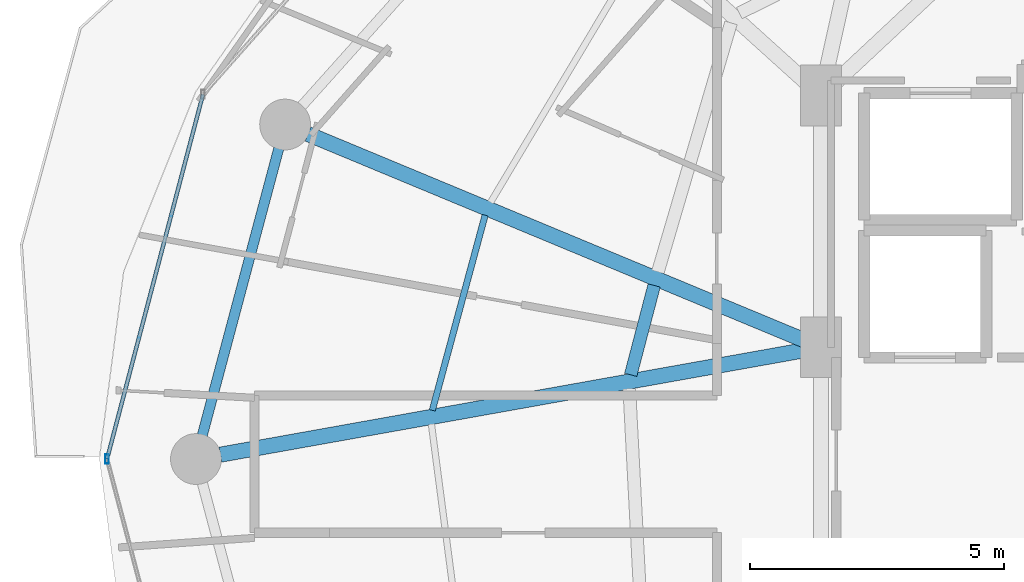
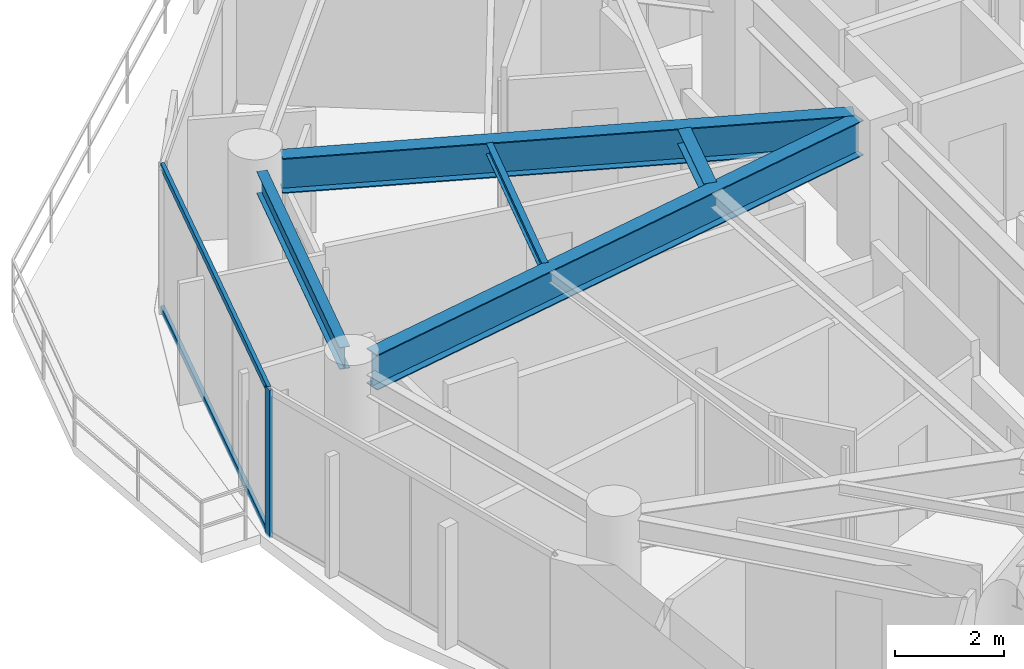
# One storey, part 7 of 29: 5 beams, 3 members, 1 element without a shape of its own.
"""IFC4 building model written with IfcOpenShell, lengths in metres."""

from ifc_helpers import new_model, si_unit, direction, frame, origin, origin_2d, place, context, subcontext, project, spatial, hollow_rectangle, i_section, extrude, material, material_profile, profile_set, type_object, element, aggregate, save


model = new_model("IFC4")

# Units and contexts
model_context = context("Model", 3, precision=1e-05, world=origin(), true_north=direction((0.0, 1.0)))
body_context = subcontext(model_context, "Body", "Model", "MODEL_VIEW")
ifc_project = project(units=[si_unit("LENGTHUNIT", "METRE"), si_unit("AREAUNIT", "SQUARE_METRE"), si_unit("VOLUMEUNIT", "CUBIC_METRE"), si_unit("PLANEANGLEUNIT", "RADIAN"), si_unit("MASSUNIT", "GRAM", prefix="KILO")], contexts=[model_context])

# Site, building, storey
site_placement = place(None, origin())
site = spatial("IfcSite", under=ifc_project, at=site_placement, CompositionType="ELEMENT")
building_placement = place(site_placement, origin())
building = spatial("IfcBuilding", under=site, at=building_placement, Name="Vorneva Point Tower", CompositionType="ELEMENT")
storey_placement = place(building_placement, frame((0.0, 0.0, 150.10009765625)))
storey = spatial("IfcBuildingStorey", under=building, at=storey_placement, Name="L40", CompositionType="ELEMENT", Elevation=150.10009765625)

# Beams
ifc_material_1 = material(Name="Steel S355", Category="steel")
ifc_material_profile_1 = material_profile(ifc_material_1, i_section(OverallWidth=0.300048828125, OverallDepth=0.7880859375, WebThickness=0.014404296875, FlangeThickness=0.02197265625, at=origin_2d()), Name="80Sh1")
ifc_profile_set_1 = profile_set([ifc_material_profile_1], Name="Steel S355")
beam_type_1 = type_object("IfcBeamType", Name="BM-GRD-80Sh1", PredefinedType="USERDEFINED", material=ifc_profile_set_1)
beam_1_placement = place(storey_placement, frame((17.1552734375, 32.39501953125, 2.845947265625), z_axis=(0.923440676596, -0.383741210723, 0.0), x_axis=(0.383741210723, 0.923440676596, 0.0)))
element("IfcBeam", 1, at=beam_1_placement, inside=storey, type_object=beam_type_1, Name="L40 Radial Primary Girder 08", ObjectType="GIRDER", PredefinedType="USERDEFINED", context=body_context, shape_type="SweptSolid", body=[
    extrude(i_section(OverallWidth=0.300048828125, OverallDepth=0.7880859375, WebThickness=0.014404296875, FlangeThickness=0.02197265625, at=origin_2d()), origin(), (0.0, 0.0, 1.0), 10.591552734375),
])
beam_2_placement = place(storey_placement, frame((15.430419921875, 26.0859375, 2.845947265625), z_axis=(0.984378132756, 0.176067293249, 0.0), x_axis=(-0.176067293249, 0.984378132756, 0.0)))
element("IfcBeam", 2, at=beam_2_placement, inside=storey, type_object=beam_type_1, Name="L40 Radial Primary Girder 09", ObjectType="GIRDER", PredefinedType="USERDEFINED", context=body_context, shape_type="SweptSolid", body=[
    extrude(i_section(OverallWidth=0.300048828125, OverallDepth=0.7880859375, WebThickness=0.014404296875, FlangeThickness=0.02197265625, at=origin_2d()), origin(), (0.0, 0.0, 1.0), 11.667236328125),
])
ifc_material_profile_2 = material_profile(ifc_material_1, i_section(OverallWidth=0.1240234375, OverallDepth=0.248046875, WebThickness=0.0048828125, FlangeThickness=0.008056640625, at=origin_2d()), Name="25B1")
ifc_profile_set_2 = profile_set([ifc_material_profile_2], Name="Steel S355")
beam_type_2 = type_object("IfcBeamType", Name="BM-JST-25B1", PredefinedType="JOIST", material=ifc_profile_set_2)
beam_3_placement = place(storey_placement, frame((20.64013671875, 30.798583984375, 3.115966796875), z_axis=(-0.261190338077, -0.96528731852, 0.0), x_axis=(0.96528731852, -0.261190338077, 0.0)))
element("IfcBeam", 3, at=beam_3_placement, inside=storey, type_object=beam_type_2, Name="L40 Secondary Floor Beam 1.08", PredefinedType="JOIST", context=body_context, shape_type="SweptSolid", body=[
    extrude(i_section(OverallWidth=0.1240234375, OverallDepth=0.248046875, WebThickness=0.0048828125, FlangeThickness=0.008056640625, at=origin_2d()), origin(), (0.0, 0.0, 1.0), 3.978271484375),
])
ifc_material_profile_3 = material_profile(ifc_material_1, i_section(OverallWidth=0.2490234375, OverallDepth=0.333984375, WebThickness=0.008056640625, FlangeThickness=0.010986328125, at=origin_2d()), Name="35Sh1")
ifc_profile_set_3 = profile_set([ifc_material_profile_3], Name="Steel S355")
beam_type_3 = type_object("IfcBeamType", Name="BM-SEC-35Sh1", PredefinedType="BEAM", material=ifc_profile_set_3)
beam_4_placement = place(storey_placement, frame((23.966796875, 29.416259765625, 3.072998046875), z_axis=(-0.253984468806, -0.967208296907, 0.0), x_axis=(0.967208296907, -0.253984468806, 0.0)))
element("IfcBeam", 4, at=beam_4_placement, inside=storey, type_object=beam_type_3, Name="L40 Secondary Floor Beam 2.08", PredefinedType="BEAM", context=body_context, shape_type="SweptSolid", body=[
    extrude(i_section(OverallWidth=0.2490234375, OverallDepth=0.333984375, WebThickness=0.008056640625, FlangeThickness=0.010986328125, at=origin_2d()), origin(), (0.0, 0.0, 1.0), 1.818603515625),
])
ifc_material_profile_4 = material_profile(ifc_material_1, i_section(OverallWidth=0.199951171875, OverallDepth=0.491943359375, WebThickness=0.0087890625, FlangeThickness=0.011962890625, at=origin_2d()), Name="50B1")
ifc_profile_set_4 = profile_set([ifc_material_profile_4], Name="Steel S355")
beam_type_4 = type_object("IfcBeamType", Name="BM-SPN-50B1", PredefinedType="SPANDREL", material=ifc_profile_set_4)
beam_5_placement = place(storey_placement, frame((16.57958984375, 32.113525390625, 2.993896484375), z_axis=(-0.257550804648, -0.966264758245, 0.0), x_axis=(0.966264758245, -0.257550804648, 0.0)))
element("IfcBeam", 5, at=beam_5_placement, inside=storey, type_object=beam_type_4, Name="L40 Perimeter Spandrel Ring Beam 08", PredefinedType="SPANDREL", context=body_context, shape_type="SweptSolid", body=[
    extrude(i_section(OverallWidth=0.199951171875, OverallDepth=0.491943359375, WebThickness=0.0087890625, FlangeThickness=0.011962890625, at=origin_2d()), origin(), (0.0, 0.0, 1.0), 5.842041015625),
])

# Curtain wall, members
ifc_material_2 = material(Name="Pale anodised aluminium", Category="aluminium")
curtain_wall_type = type_object("IfcCurtainWallType", Name="CW-RES-SYS", PredefinedType="NOTDEFINED", material=ifc_material_2)
curtain_wall_placement = place(storey_placement, origin())
curtain_wall = element("IfcCurtainWall", 6, at=curtain_wall_placement, inside=storey, type_object=curtain_wall_type, Name="L40 Unitised Curtain Wall CW-L40-R03", PredefinedType="NOTDEFINED")
ifc_material_profile_5 = material_profile(ifc_material_2, hollow_rectangle(XDim=0.074951171875, YDim=0.179931640625, WallThickness=0.00390625, at=origin_2d()), Name="AL-MUL 180x75x4")
ifc_profile_set_5 = profile_set([ifc_material_profile_5], Name="Pale anodised aluminium")
member_type_1 = type_object("IfcMemberType", Name="CW-MUL-180", PredefinedType="MULLION", material=ifc_profile_set_5)
member_1_placement = place(storey_placement, frame((13.199951171875, 26.0, -0.0400390625), z_axis=(0.0, 0.0, 1.0), x_axis=(1.0, 0.0, 0.0)))
member_1 = element("IfcMember", 7, at=member_1_placement, type_object=member_type_1, Name="CW-L40-R03 Mullion 04", PredefinedType="MULLION", context=body_context, shape_type="SweptSolid", body=[
    extrude(hollow_rectangle(XDim=0.074951171875, YDim=0.179931640625, WallThickness=0.00390625, at=origin_2d()), origin(), (0.0, 0.0, 1.0), 3.31005859375),
])
ifc_material_profile_6 = material_profile(ifc_material_2, hollow_rectangle(XDim=0.074951171875, YDim=0.14990234375, WallThickness=0.00390625, at=origin_2d()), Name="AL-TRN 150x75x4")
ifc_profile_set_6 = profile_set([ifc_material_profile_6], Name="Pale anodised aluminium")
member_type_2 = type_object("IfcMemberType", Name="CW-TRN-150", PredefinedType="USERDEFINED", material=ifc_profile_set_6)
member_2_placement = place(storey_placement, frame((15.087890625, 33.17529296875, 0.02001953125), z_axis=(-0.254456046293, -0.967084339913, 0.0), x_axis=(0.967084339913, -0.254456046293, 0.0)))
member_2 = element("IfcMember", 8, at=member_2_placement, type_object=member_type_2, Name="CW-L40-R03 Transom 03.1", ObjectType="TRANSOM", PredefinedType="USERDEFINED", context=body_context, shape_type="SweptSolid", body=[
    extrude(hollow_rectangle(XDim=0.074951171875, YDim=0.14990234375, WallThickness=0.00390625, at=origin_2d()), origin(), (0.0, 0.0, 1.0), 7.41943359375),
])
member_3_placement = place(storey_placement, frame((15.087890625, 33.17529296875, 3.219970703125), z_axis=(-0.254456046293, -0.967084339913, 0.0), x_axis=(0.967084339913, -0.254456046293, 0.0)))
member_3 = element("IfcMember", 9, at=member_3_placement, type_object=member_type_2, Name="CW-L40-R03 Transom 03.2", ObjectType="TRANSOM", PredefinedType="USERDEFINED", context=body_context, shape_type="SweptSolid", body=[
    extrude(hollow_rectangle(XDim=0.074951171875, YDim=0.14990234375, WallThickness=0.00390625, at=origin_2d()), origin(), (0.0, 0.0, 1.0), 7.41943359375),
])
aggregate(curtain_wall, [member_1, member_2, member_3])

save(model, "model.ifc")
